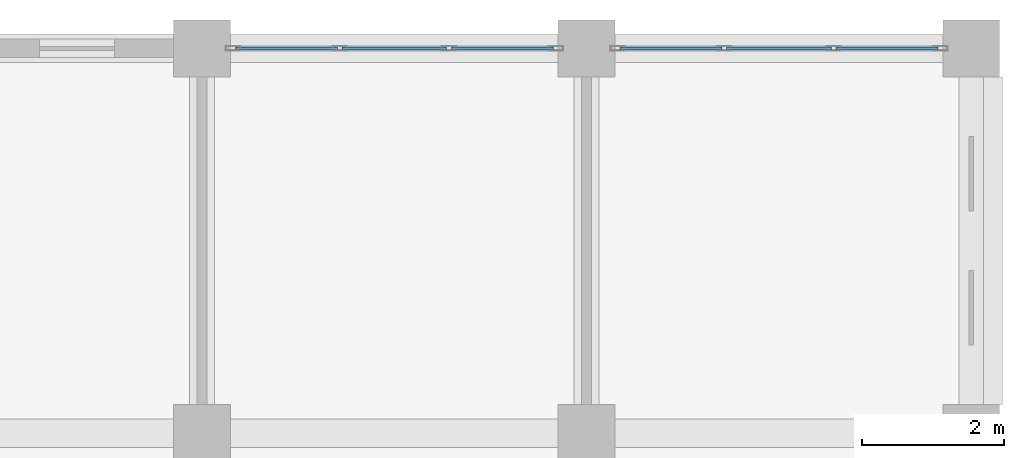
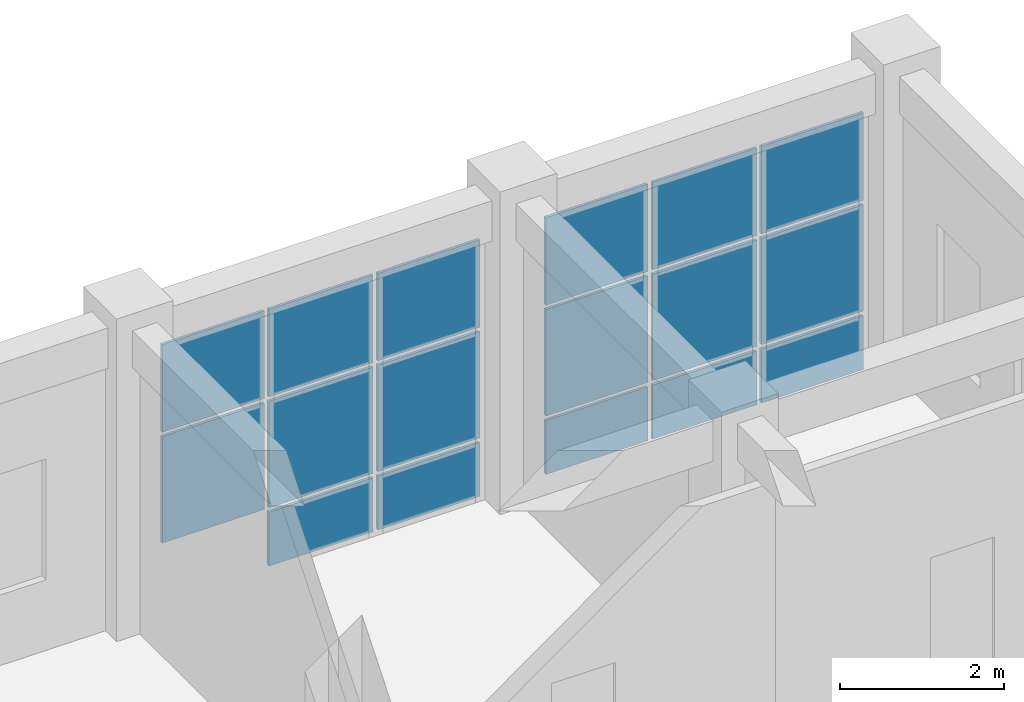
# One storey, part 61 of 76: 17 plates, 2 elements without a shape of their own.
"""IFC4 building model written with IfcOpenShell, lengths in metres."""

from ifc_helpers import new_model, si_unit, direction, frame, origin, origin_2d, place, context, subcontext, project, spatial, rectangle, extrude, material, layer, layer_set, type_object, element, aggregate, save


model = new_model("IFC4")

# Units and contexts
model_context = context("Model", 3, precision=1e-05, world=origin(), true_north=direction((0.0, 1.0)))
body_context = subcontext(model_context, "Body", "Model", "MODEL_VIEW")
ifc_project = project(units=[si_unit("LENGTHUNIT", "METRE"), si_unit("AREAUNIT", "SQUARE_METRE"), si_unit("VOLUMEUNIT", "CUBIC_METRE"), si_unit("PLANEANGLEUNIT", "RADIAN"), si_unit("MASSUNIT", "GRAM", prefix="KILO")], contexts=[model_context])

# Site, building, storey
site_placement = place(None, origin())
site = spatial("IfcSite", under=ifc_project, at=site_placement, CompositionType="ELEMENT")
building_placement = place(site_placement, origin())
building = spatial("IfcBuilding", under=site, at=building_placement, Name="Krzemoval Escarpment Law Courts", CompositionType="ELEMENT")
storey_placement = place(building_placement, frame((0.0, 0.0, 20.39990234375)))
storey = spatial("IfcBuildingStorey", under=building, at=storey_placement, Name="L04", CompositionType="ELEMENT", Elevation=20.39990234375)

# Curtain wall, plates
ifc_material_1 = material(Name="Aluminium 6063-T6", Category="aluminium")
ifc_layer_1 = layer(ifc_material_1, 0.219970703125)
ifc_layer_set_1 = layer_set([ifc_layer_1], Name="Aluminium 6063-T6")
curtain_wall_type = type_object("IfcCurtainWallType", Name="CW-CHMB-4200", PredefinedType="USERDEFINED", material=ifc_layer_set_1)
curtain_wall_1_placement = place(storey_placement, origin())
curtain_wall_1 = element("IfcCurtainWall", 1, at=curtain_wall_1_placement, inside=storey, type_object=curtain_wall_type, Name="Unitised Curtain Wall FCW-L04-129", ObjectType="UNITISED_CURTAIN_WALL", PredefinedType="USERDEFINED")
ifc_material_2 = material(Name="Triple Glazing IGU", Category="glass")
ifc_layer_2 = layer(ifc_material_2, 0.0419921875)
ifc_layer_set_2 = layer_set([ifc_layer_2], Name="Triple Glazing IGU")
plate_type = type_object("IfcPlateType", Name="CWP-GLZ-42", PredefinedType="CURTAIN_PANEL", material=ifc_layer_set_2)
plate_1_placement = place(storey_placement, frame((163.182861328125, 118.800048828125, 0.9326171875), z_axis=(0.0, 0.0, 1.0), x_axis=(1.0, 0.0, 0.0)))
plate_1 = element("IfcPlate", 2, at=plate_1_placement, type_object=plate_type, Name="FCW-L04-129 panel 1.2", PredefinedType="CURTAIN_PANEL", context=body_context, shape_type="SweptSolid", body=[
    extrude(rectangle(XDim=1.435791015625, YDim=0.0419921875, at=origin_2d()), origin(), (0.0, 0.0, 1.0), 1.5849609375),
])
plate_2_placement = place(storey_placement, frame((163.182861328125, 118.800048828125, 2.58251953125), z_axis=(0.0, 0.0, 1.0), x_axis=(1.0, 0.0, 0.0)))
plate_2 = element("IfcPlate", 3, at=plate_2_placement, type_object=plate_type, Name="FCW-L04-129 panel 1.3", PredefinedType="CURTAIN_PANEL", context=body_context, shape_type="SweptSolid", body=[
    extrude(rectangle(XDim=1.435791015625, YDim=0.0419921875, at=origin_2d()), origin(), (0.0, 0.0, 1.0), 1.302490234375),
])
plate_3_placement = place(storey_placement, frame((164.699951171875, 118.800048828125, 0.06494140625), z_axis=(0.0, 0.0, 1.0), x_axis=(1.0, 0.0, 0.0)))
plate_3 = element("IfcPlate", 4, at=plate_3_placement, type_object=plate_type, Name="FCW-L04-129 panel 2.1", PredefinedType="CURTAIN_PANEL", context=body_context, shape_type="SweptSolid", body=[
    extrude(rectangle(XDim=1.46826171875, YDim=0.0419921875, at=origin_2d()), origin(), (0.0, 0.0, 1.0), 0.802490234375),
])
plate_4_placement = place(storey_placement, frame((164.699951171875, 118.800048828125, 0.9326171875), z_axis=(0.0, 0.0, 1.0), x_axis=(1.0, 0.0, 0.0)))
plate_4 = element("IfcPlate", 5, at=plate_4_placement, type_object=plate_type, Name="FCW-L04-129 panel 2.2", PredefinedType="CURTAIN_PANEL", context=body_context, shape_type="SweptSolid", body=[
    extrude(rectangle(XDim=1.46826171875, YDim=0.0419921875, at=origin_2d()), origin(), (0.0, 0.0, 1.0), 1.5849609375),
])
plate_5_placement = place(storey_placement, frame((164.699951171875, 118.800048828125, 2.58251953125), z_axis=(0.0, 0.0, 1.0), x_axis=(1.0, 0.0, 0.0)))
plate_5 = element("IfcPlate", 6, at=plate_5_placement, type_object=plate_type, Name="FCW-L04-129 panel 2.3", PredefinedType="CURTAIN_PANEL", context=body_context, shape_type="SweptSolid", body=[
    extrude(rectangle(XDim=1.46826171875, YDim=0.0419921875, at=origin_2d()), origin(), (0.0, 0.0, 1.0), 1.302490234375),
])
plate_6_placement = place(storey_placement, frame((166.217041015625, 118.800048828125, 0.06494140625), z_axis=(0.0, 0.0, 1.0), x_axis=(1.0, 0.0, 0.0)))
plate_6 = element("IfcPlate", 7, at=plate_6_placement, type_object=plate_type, Name="FCW-L04-129 panel 3.1", PredefinedType="CURTAIN_PANEL", context=body_context, shape_type="SweptSolid", body=[
    extrude(rectangle(XDim=1.435791015625, YDim=0.0419921875, at=origin_2d()), origin(), (0.0, 0.0, 1.0), 0.802490234375),
])
plate_7_placement = place(storey_placement, frame((166.217041015625, 118.800048828125, 0.9326171875), z_axis=(0.0, 0.0, 1.0), x_axis=(1.0, 0.0, 0.0)))
plate_7 = element("IfcPlate", 8, at=plate_7_placement, type_object=plate_type, Name="FCW-L04-129 panel 3.2", PredefinedType="CURTAIN_PANEL", context=body_context, shape_type="SweptSolid", body=[
    extrude(rectangle(XDim=1.435791015625, YDim=0.0419921875, at=origin_2d()), origin(), (0.0, 0.0, 1.0), 1.5849609375),
])
plate_8_placement = place(storey_placement, frame((166.217041015625, 118.800048828125, 2.58251953125), z_axis=(0.0, 0.0, 1.0), x_axis=(1.0, 0.0, 0.0)))
plate_8 = element("IfcPlate", 9, at=plate_8_placement, type_object=plate_type, Name="FCW-L04-129 panel 3.3", PredefinedType="CURTAIN_PANEL", context=body_context, shape_type="SweptSolid", body=[
    extrude(rectangle(XDim=1.435791015625, YDim=0.0419921875, at=origin_2d()), origin(), (0.0, 0.0, 1.0), 1.302490234375),
])
aggregate(curtain_wall_1, [plate_1, plate_2, plate_3, plate_4, plate_5, plate_6, plate_7, plate_8])

curtain_wall_2_placement = place(storey_placement, origin())
curtain_wall_2 = element("IfcCurtainWall", 10, at=curtain_wall_2_placement, inside=storey, type_object=curtain_wall_type, Name="Unitised Curtain Wall FCW-L04-130", ObjectType="UNITISED_CURTAIN_WALL", PredefinedType="USERDEFINED")
plate_9_placement = place(storey_placement, frame((168.5830078125, 118.800048828125, 0.06494140625), z_axis=(0.0, 0.0, 1.0), x_axis=(1.0, 0.0, 0.0)))
plate_9 = element("IfcPlate", 11, at=plate_9_placement, type_object=plate_type, Name="FCW-L04-130 panel 1.1", PredefinedType="CURTAIN_PANEL", context=body_context, shape_type="SweptSolid", body=[
    extrude(rectangle(XDim=1.435791015625, YDim=0.0419921875, at=origin_2d()), origin(), (0.0, 0.0, 1.0), 0.802490234375),
])
plate_10_placement = place(storey_placement, frame((168.5830078125, 118.800048828125, 0.9326171875), z_axis=(0.0, 0.0, 1.0), x_axis=(1.0, 0.0, 0.0)))
plate_10 = element("IfcPlate", 12, at=plate_10_placement, type_object=plate_type, Name="FCW-L04-130 panel 1.2", PredefinedType="CURTAIN_PANEL", context=body_context, shape_type="SweptSolid", body=[
    extrude(rectangle(XDim=1.435791015625, YDim=0.0419921875, at=origin_2d()), origin(), (0.0, 0.0, 1.0), 1.5849609375),
])
plate_11_placement = place(storey_placement, frame((168.5830078125, 118.800048828125, 2.58251953125), z_axis=(0.0, 0.0, 1.0), x_axis=(1.0, 0.0, 0.0)))
plate_11 = element("IfcPlate", 13, at=plate_11_placement, type_object=plate_type, Name="FCW-L04-130 panel 1.3", PredefinedType="CURTAIN_PANEL", context=body_context, shape_type="SweptSolid", body=[
    extrude(rectangle(XDim=1.435791015625, YDim=0.0419921875, at=origin_2d()), origin(), (0.0, 0.0, 1.0), 1.302490234375),
])
plate_12_placement = place(storey_placement, frame((170.10009765625, 118.800048828125, 0.06494140625), z_axis=(0.0, 0.0, 1.0), x_axis=(1.0, 0.0, 0.0)))
plate_12 = element("IfcPlate", 14, at=plate_12_placement, type_object=plate_type, Name="FCW-L04-130 panel 2.1", PredefinedType="CURTAIN_PANEL", context=body_context, shape_type="SweptSolid", body=[
    extrude(rectangle(XDim=1.46826171875, YDim=0.0419921875, at=origin_2d()), origin(), (0.0, 0.0, 1.0), 0.802490234375),
])
plate_13_placement = place(storey_placement, frame((170.10009765625, 118.800048828125, 0.9326171875), z_axis=(0.0, 0.0, 1.0), x_axis=(1.0, 0.0, 0.0)))
plate_13 = element("IfcPlate", 15, at=plate_13_placement, type_object=plate_type, Name="FCW-L04-130 panel 2.2", PredefinedType="CURTAIN_PANEL", context=body_context, shape_type="SweptSolid", body=[
    extrude(rectangle(XDim=1.46826171875, YDim=0.0419921875, at=origin_2d()), origin(), (0.0, 0.0, 1.0), 1.5849609375),
])
plate_14_placement = place(storey_placement, frame((170.10009765625, 118.800048828125, 2.58251953125), z_axis=(0.0, 0.0, 1.0), x_axis=(1.0, 0.0, 0.0)))
plate_14 = element("IfcPlate", 16, at=plate_14_placement, type_object=plate_type, Name="FCW-L04-130 panel 2.3", PredefinedType="CURTAIN_PANEL", context=body_context, shape_type="SweptSolid", body=[
    extrude(rectangle(XDim=1.46826171875, YDim=0.0419921875, at=origin_2d()), origin(), (0.0, 0.0, 1.0), 1.302490234375),
])
plate_15_placement = place(storey_placement, frame((171.6171875, 118.800048828125, 0.06494140625), z_axis=(0.0, 0.0, 1.0), x_axis=(1.0, 0.0, 0.0)))
plate_15 = element("IfcPlate", 17, at=plate_15_placement, type_object=plate_type, Name="FCW-L04-130 panel 3.1", PredefinedType="CURTAIN_PANEL", context=body_context, shape_type="SweptSolid", body=[
    extrude(rectangle(XDim=1.435791015625, YDim=0.0419921875, at=origin_2d()), origin(), (0.0, 0.0, 1.0), 0.802490234375),
])
plate_16_placement = place(storey_placement, frame((171.6171875, 118.800048828125, 0.9326171875), z_axis=(0.0, 0.0, 1.0), x_axis=(1.0, 0.0, 0.0)))
plate_16 = element("IfcPlate", 18, at=plate_16_placement, type_object=plate_type, Name="FCW-L04-130 panel 3.2", PredefinedType="CURTAIN_PANEL", context=body_context, shape_type="SweptSolid", body=[
    extrude(rectangle(XDim=1.435791015625, YDim=0.0419921875, at=origin_2d()), origin(), (0.0, 0.0, 1.0), 1.5849609375),
])
plate_17_placement = place(storey_placement, frame((171.6171875, 118.800048828125, 2.58251953125), z_axis=(0.0, 0.0, 1.0), x_axis=(1.0, 0.0, 0.0)))
plate_17 = element("IfcPlate", 19, at=plate_17_placement, type_object=plate_type, Name="FCW-L04-130 panel 3.3", PredefinedType="CURTAIN_PANEL", context=body_context, shape_type="SweptSolid", body=[
    extrude(rectangle(XDim=1.435791015625, YDim=0.0419921875, at=origin_2d()), origin(), (0.0, 0.0, 1.0), 1.302490234375),
])
aggregate(curtain_wall_2, [plate_9, plate_10, plate_11, plate_12, plate_13, plate_14, plate_15, plate_16, plate_17])

save(model, "model.ifc")
